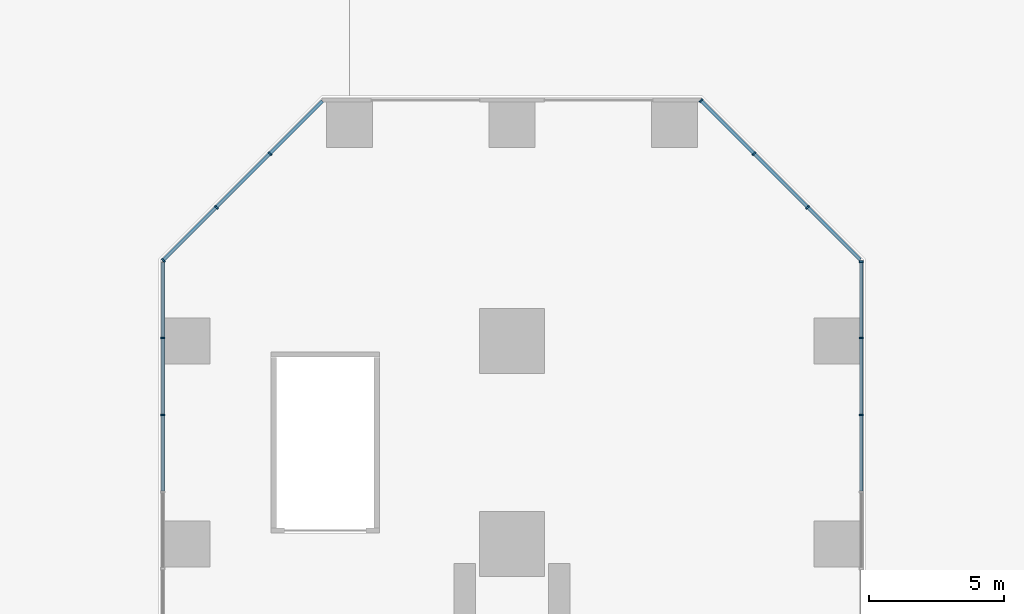
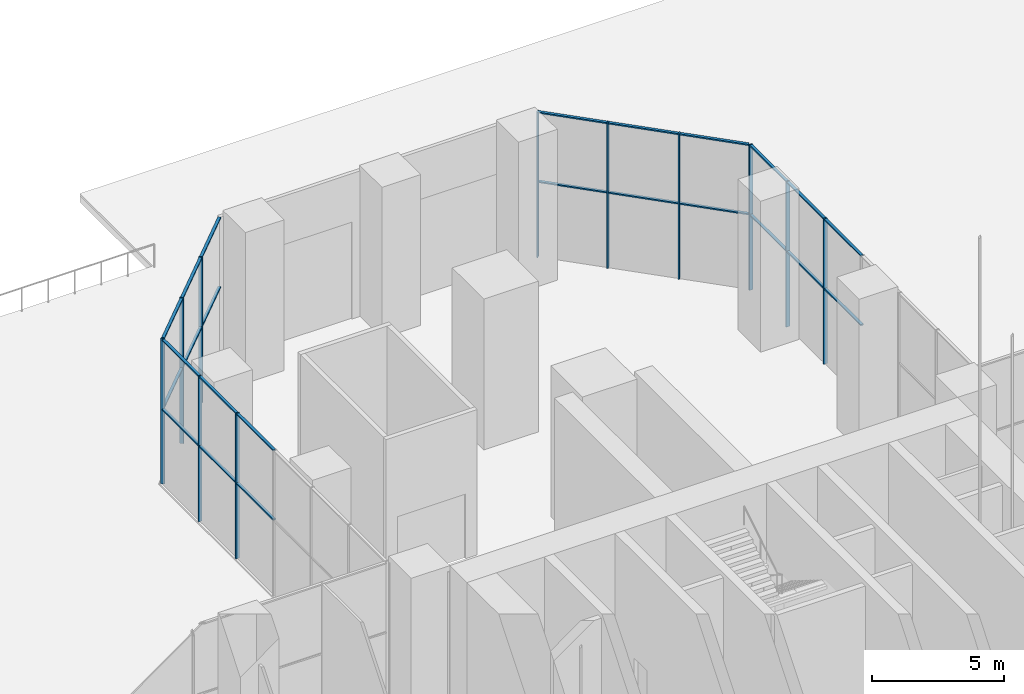
# One storey, part 12 of 43: 35 members, 4 elements without a shape of their own.
"""IFC4 building model written with IfcOpenShell, lengths in metres."""

from ifc_helpers import new_model, si_unit, direction, frame, origin, origin_2d, place, context, subcontext, project, spatial, rectangle, extrude, material, material_profile, profile_set, type_object, element, aggregate, save


model = new_model("IFC4")

# Units and contexts
model_context = context("Model", 3, precision=1e-05, world=origin(), true_north=direction((0.0, 1.0)))
body_context = subcontext(model_context, "Body", "Model", "MODEL_VIEW")
ifc_project = project(units=[si_unit("LENGTHUNIT", "METRE"), si_unit("AREAUNIT", "SQUARE_METRE"), si_unit("VOLUMEUNIT", "CUBIC_METRE"), si_unit("PLANEANGLEUNIT", "RADIAN"), si_unit("MASSUNIT", "GRAM", prefix="KILO")], contexts=[model_context])

# Site, building, storey
site_placement = place(None, origin())
site = spatial("IfcSite", under=ifc_project, at=site_placement, CompositionType="ELEMENT")
building_placement = place(site_placement, origin())
building = spatial("IfcBuilding", under=site, at=building_placement, Name="Mizan Broadcast Tower", CompositionType="ELEMENT")
storey_placement = place(building_placement, origin())
storey = spatial("IfcBuildingStorey", under=building, at=storey_placement, Name="L00", CompositionType="ELEMENT", Elevation=0.0)

# Curtain wall, members
ifc_material_1 = material(Name="Aluminium framed glazing", Category="aluminium")
curtain_wall_type = type_object("IfcCurtainWallType", Name="PODIUM CURTAIN WALL", PredefinedType="USERDEFINED", material=ifc_material_1)
curtain_wall_1_placement = place(storey_placement, origin())
curtain_wall_1 = element("IfcCurtainWall", 1, at=curtain_wall_1_placement, inside=storey, type_object=curtain_wall_type, Name="Podium curtain wall L00 N side", ObjectType="PODIUM CURTAIN WALL", PredefinedType="USERDEFINED")
ifc_material_2 = material(Name="Aluminium, pale anodised", Category="aluminium")
ifc_material_profile_1 = material_profile(ifc_material_2, rectangle(XDim=0.159912109375, YDim=0.06005859375, at=origin_2d()), Name="MULLION 160x60")
ifc_profile_set_1 = profile_set([ifc_material_profile_1], Name="Aluminium, pale anodised")
member_type_1 = type_object("IfcMemberType", Name="INNER SKIN MULLION 60x160", PredefinedType="MULLION", material=ifc_profile_set_1)
member_1_placement = place(storey_placement, frame((12.89990234375, 24.2724609375, 0.0), z_axis=(0.0, 0.0, 1.0), x_axis=(-1.0, 0.0, 0.0)))
member_1 = element("IfcMember", 2, at=member_1_placement, type_object=member_type_1, Name="Podium curtain wall L00 N side mullion 5", PredefinedType="MULLION", context=body_context, shape_type="SweptSolid", body=[
    extrude(rectangle(XDim=0.159912109375, YDim=0.06005859375, at=origin_2d()), origin(), (0.0, 0.0, 1.0), 6.75),
])
member_2_placement = place(storey_placement, frame((12.89990234375, 27.115478515625, 0.0), z_axis=(0.0, 0.0, 1.0), x_axis=(-1.0, 0.0, 0.0)))
member_2 = element("IfcMember", 3, at=member_2_placement, type_object=member_type_1, Name="Podium curtain wall L00 N side mullion 6", PredefinedType="MULLION", context=body_context, shape_type="SweptSolid", body=[
    extrude(rectangle(XDim=0.159912109375, YDim=0.06005859375, at=origin_2d()), origin(), (0.0, 0.0, 1.0), 6.75),
])
member_3_placement = place(storey_placement, frame((12.89990234375, 29.928466796875, 0.0), z_axis=(0.0, 0.0, 1.0), x_axis=(-1.0, 0.0, 0.0)))
member_3 = element("IfcMember", 4, at=member_3_placement, type_object=member_type_1, Name="Podium curtain wall L00 N side mullion 7", PredefinedType="MULLION", context=body_context, shape_type="SweptSolid", body=[
    extrude(rectangle(XDim=0.159912109375, YDim=0.06005859375, at=origin_2d()), origin(), (0.0, 0.0, 1.0), 6.75),
])

curtain_wall_2_placement = place(storey_placement, origin())
curtain_wall_2 = element("IfcCurtainWall", 5, at=curtain_wall_2_placement, inside=storey, type_object=curtain_wall_type, Name="Podium curtain wall L00 N chamfer", ObjectType="PODIUM CURTAIN WALL", PredefinedType="USERDEFINED")
member_4_placement = place(storey_placement, frame((10.91943359375, 31.93896484375, 0.0), z_axis=(0.0, 0.0, 1.0), x_axis=(-0.707106781187, -0.707106781187, 0.0)))
member_4 = element("IfcMember", 6, at=member_4_placement, type_object=member_type_1, Name="Podium curtain wall L00 N chamfer mullion 2", PredefinedType="MULLION", context=body_context, shape_type="SweptSolid", body=[
    extrude(rectangle(XDim=0.159912109375, YDim=0.06005859375, at=origin_2d()), origin(), (0.0, 0.0, 1.0), 6.75),
])
member_5_placement = place(storey_placement, frame((8.93896484375, 33.91943359375, 0.0), z_axis=(0.0, 0.0, 1.0), x_axis=(-0.707106781187, -0.707106781187, 0.0)))
member_5 = element("IfcMember", 7, at=member_5_placement, type_object=member_type_1, Name="Podium curtain wall L00 N chamfer mullion 3", PredefinedType="MULLION", context=body_context, shape_type="SweptSolid", body=[
    extrude(rectangle(XDim=0.159912109375, YDim=0.06005859375, at=origin_2d()), origin(), (0.0, 0.0, 1.0), 6.75),
])
member_6_placement = place(storey_placement, frame((6.979736328125, 35.87890625, 0.0), z_axis=(0.0, 0.0, 1.0), x_axis=(-0.707106781187, -0.707106781187, 0.0)))
member_6 = element("IfcMember", 8, at=member_6_placement, type_object=member_type_1, Name="Podium curtain wall L00 N chamfer mullion 4", PredefinedType="MULLION", context=body_context, shape_type="SweptSolid", body=[
    extrude(rectangle(XDim=0.159912109375, YDim=0.06005859375, at=origin_2d()), origin(), (0.0, 0.0, 1.0), 6.75),
])

curtain_wall_3_placement = place(storey_placement, origin())
curtain_wall_3 = element("IfcCurtainWall", 9, at=curtain_wall_3_placement, inside=storey, type_object=curtain_wall_type, Name="Podium curtain wall L00 N chamfer", ObjectType="PODIUM CURTAIN WALL", PredefinedType="USERDEFINED")
member_7_placement = place(storey_placement, frame((-8.93896484375, 33.91943359375, 0.0), z_axis=(0.0, 0.0, 1.0), x_axis=(0.707106781187, -0.707106781187, 0.0)))
member_7 = element("IfcMember", 10, at=member_7_placement, type_object=member_type_1, Name="Podium curtain wall L00 N chamfer mullion 2", PredefinedType="MULLION", context=body_context, shape_type="SweptSolid", body=[
    extrude(rectangle(XDim=0.159912109375, YDim=0.06005859375, at=origin_2d()), origin(), (0.0, 0.0, 1.0), 6.75),
])
member_8_placement = place(storey_placement, frame((-10.91943359375, 31.93896484375, 0.0), z_axis=(0.0, 0.0, 1.0), x_axis=(0.707106781187, -0.707106781187, 0.0)))
member_8 = element("IfcMember", 11, at=member_8_placement, type_object=member_type_1, Name="Podium curtain wall L00 N chamfer mullion 3", PredefinedType="MULLION", context=body_context, shape_type="SweptSolid", body=[
    extrude(rectangle(XDim=0.159912109375, YDim=0.06005859375, at=origin_2d()), origin(), (0.0, 0.0, 1.0), 6.75),
])
member_9_placement = place(storey_placement, frame((-12.87890625, 29.979736328125, 0.0), z_axis=(0.0, 0.0, 1.0), x_axis=(0.707106781187, -0.707106781187, 0.0)))
member_9 = element("IfcMember", 12, at=member_9_placement, type_object=member_type_1, Name="Podium curtain wall L00 N chamfer mullion 4", PredefinedType="MULLION", context=body_context, shape_type="SweptSolid", body=[
    extrude(rectangle(XDim=0.159912109375, YDim=0.06005859375, at=origin_2d()), origin(), (0.0, 0.0, 1.0), 6.75),
])

curtain_wall_4_placement = place(storey_placement, origin())
curtain_wall_4 = element("IfcCurtainWall", 13, at=curtain_wall_4_placement, inside=storey, type_object=curtain_wall_type, Name="Podium curtain wall L00 N side", ObjectType="PODIUM CURTAIN WALL", PredefinedType="USERDEFINED")
member_10_placement = place(storey_placement, frame((-12.89990234375, 27.115478515625, 0.0), z_axis=(0.0, 0.0, 1.0), x_axis=(1.0, 0.0, 0.0)))
member_10 = element("IfcMember", 14, at=member_10_placement, type_object=member_type_1, Name="Podium curtain wall L00 N side mullion 2", PredefinedType="MULLION", context=body_context, shape_type="SweptSolid", body=[
    extrude(rectangle(XDim=0.159912109375, YDim=0.06005859375, at=origin_2d()), origin(), (0.0, 0.0, 1.0), 6.75),
])
member_11_placement = place(storey_placement, frame((-12.89990234375, 24.2724609375, 0.0), z_axis=(0.0, 0.0, 1.0), x_axis=(1.0, 0.0, 0.0)))
member_11 = element("IfcMember", 15, at=member_11_placement, type_object=member_type_1, Name="Podium curtain wall L00 N side mullion 3", PredefinedType="MULLION", context=body_context, shape_type="SweptSolid", body=[
    extrude(rectangle(XDim=0.159912109375, YDim=0.06005859375, at=origin_2d()), origin(), (0.0, 0.0, 1.0), 6.75),
])

# Member
ifc_material_3 = material(Name="Aluminium, pale anodised", Category="aluminium")
ifc_material_profile_2 = material_profile(ifc_material_3, rectangle(XDim=0.1201171875, YDim=0.06005859375, at=origin_2d()), Name="TRANSOM 120x60")
ifc_profile_set_2 = profile_set([ifc_material_profile_2], Name="Aluminium, pale anodised")
member_type_2 = type_object("IfcMemberType", Name="INNER SKIN TRANSOM 60x120", PredefinedType="USERDEFINED", material=ifc_profile_set_2)
member_12_placement = place(storey_placement, frame((12.89990234375, 21.459228515625, 3.5), z_axis=(0.0, 1.0, 0.0), x_axis=(-1.0, 0.0, 0.0)))
member_12 = element("IfcMember", 16, at=member_12_placement, type_object=member_type_2, Name="Podium curtain wall L00 N side transom 4.1", ObjectType="TRANSOM", PredefinedType="USERDEFINED", context=body_context, shape_type="SweptSolid", body=[
    extrude(rectangle(XDim=0.1201171875, YDim=0.06005859375, at=origin_2d()), origin(), (0.0, 0.0, 1.0), 2.783203125),
])

member_13_placement = place(storey_placement, frame((12.89990234375, 21.459228515625, 6.719970703125), z_axis=(0.0, 1.0, 0.0), x_axis=(-1.0, 0.0, 0.0)))
member_13 = element("IfcMember", 17, at=member_13_placement, type_object=member_type_2, Name="Podium curtain wall L00 N side transom 4.2", ObjectType="TRANSOM", PredefinedType="USERDEFINED", context=body_context, shape_type="SweptSolid", body=[
    extrude(rectangle(XDim=0.1201171875, YDim=0.06005859375, at=origin_2d()), origin(), (0.0, 0.0, 1.0), 2.783203125),
])

member_14_placement = place(storey_placement, frame((12.89990234375, 24.302490234375, 3.5), z_axis=(0.0, 1.0, 0.0), x_axis=(-1.0, 0.0, 0.0)))
member_14 = element("IfcMember", 18, at=member_14_placement, type_object=member_type_2, Name="Podium curtain wall L00 N side transom 5.1", ObjectType="TRANSOM", PredefinedType="USERDEFINED", context=body_context, shape_type="SweptSolid", body=[
    extrude(rectangle(XDim=0.1201171875, YDim=0.06005859375, at=origin_2d()), origin(), (0.0, 0.0, 1.0), 2.782958984375),
])

member_15_placement = place(storey_placement, frame((12.89990234375, 24.302490234375, 6.719970703125), z_axis=(0.0, 1.0, 0.0), x_axis=(-1.0, 0.0, 0.0)))
member_15 = element("IfcMember", 19, at=member_15_placement, type_object=member_type_2, Name="Podium curtain wall L00 N side transom 5.2", ObjectType="TRANSOM", PredefinedType="USERDEFINED", context=body_context, shape_type="SweptSolid", body=[
    extrude(rectangle(XDim=0.1201171875, YDim=0.06005859375, at=origin_2d()), origin(), (0.0, 0.0, 1.0), 2.782958984375),
])

member_16_placement = place(storey_placement, frame((12.89990234375, 27.1455078125, 3.5), z_axis=(0.0, 1.0, 0.0), x_axis=(-1.0, 0.0, 0.0)))
member_16 = element("IfcMember", 20, at=member_16_placement, type_object=member_type_2, Name="Podium curtain wall L00 N side transom 6.1", ObjectType="TRANSOM", PredefinedType="USERDEFINED", context=body_context, shape_type="SweptSolid", body=[
    extrude(rectangle(XDim=0.1201171875, YDim=0.06005859375, at=origin_2d()), origin(), (0.0, 0.0, 1.0), 2.753173828125),
])

member_17_placement = place(storey_placement, frame((12.89990234375, 27.1455078125, 6.719970703125), z_axis=(0.0, 1.0, 0.0), x_axis=(-1.0, 0.0, 0.0)))
member_17 = element("IfcMember", 21, at=member_17_placement, type_object=member_type_2, Name="Podium curtain wall L00 N side transom 6.2", ObjectType="TRANSOM", PredefinedType="USERDEFINED", context=body_context, shape_type="SweptSolid", body=[
    extrude(rectangle(XDim=0.1201171875, YDim=0.06005859375, at=origin_2d()), origin(), (0.0, 0.0, 1.0), 2.753173828125),
])

aggregate(curtain_wall_1, [member_1, member_2, member_3, member_12, member_13, member_14, member_15, member_16, member_17])

member_18_placement = place(storey_placement, frame((12.857666015625, 30.0009765625, 3.5), z_axis=(-0.707151809797, 0.707061749709, 0.0), x_axis=(-0.707061749709, -0.707151809797, 0.0)))
member_18 = element("IfcMember", 22, at=member_18_placement, type_object=member_type_2, Name="Podium curtain wall L00 N chamfer transom 1.1", ObjectType="TRANSOM", PredefinedType="USERDEFINED", context=body_context, shape_type="SweptSolid", body=[
    extrude(rectangle(XDim=0.1201171875, YDim=0.06005859375, at=origin_2d()), origin(), (0.0, 0.0, 1.0), 2.7109375),
])

member_19_placement = place(storey_placement, frame((12.857666015625, 30.0009765625, 6.719970703125), z_axis=(-0.707151809797, 0.707061749709, 0.0), x_axis=(-0.707061749709, -0.707151809797, 0.0)))
member_19 = element("IfcMember", 23, at=member_19_placement, type_object=member_type_2, Name="Podium curtain wall L00 N chamfer transom 1.2", ObjectType="TRANSOM", PredefinedType="USERDEFINED", context=body_context, shape_type="SweptSolid", body=[
    extrude(rectangle(XDim=0.1201171875, YDim=0.06005859375, at=origin_2d()), origin(), (0.0, 0.0, 1.0), 2.7109375),
])

member_20_placement = place(storey_placement, frame((10.898193359375, 31.960205078125, 3.5), z_axis=(-0.707106781187, 0.707106781187, 0.0), x_axis=(-0.707106781187, -0.707106781187, 0.0)))
member_20 = element("IfcMember", 24, at=member_20_placement, type_object=member_type_2, Name="Podium curtain wall L00 N chamfer transom 2.1", ObjectType="TRANSOM", PredefinedType="USERDEFINED", context=body_context, shape_type="SweptSolid", body=[
    extrude(rectangle(XDim=0.1201171875, YDim=0.06005859375, at=origin_2d()), origin(), (0.0, 0.0, 1.0), 2.74072265625),
])

member_21_placement = place(storey_placement, frame((10.898193359375, 31.960205078125, 6.719970703125), z_axis=(-0.707106781187, 0.707106781187, 0.0), x_axis=(-0.707106781187, -0.707106781187, 0.0)))
member_21 = element("IfcMember", 25, at=member_21_placement, type_object=member_type_2, Name="Podium curtain wall L00 N chamfer transom 2.2", ObjectType="TRANSOM", PredefinedType="USERDEFINED", context=body_context, shape_type="SweptSolid", body=[
    extrude(rectangle(XDim=0.1201171875, YDim=0.06005859375, at=origin_2d()), origin(), (0.0, 0.0, 1.0), 2.74072265625),
])

member_22_placement = place(storey_placement, frame((8.917724609375, 33.940673828125, 3.5), z_axis=(-0.707061749709, 0.707151809797, 0.0), x_axis=(-0.707151809797, -0.707061749709, 0.0)))
member_22 = element("IfcMember", 26, at=member_22_placement, type_object=member_type_2, Name="Podium curtain wall L00 N chamfer transom 3.1", ObjectType="TRANSOM", PredefinedType="USERDEFINED", context=body_context, shape_type="SweptSolid", body=[
    extrude(rectangle(XDim=0.1201171875, YDim=0.06005859375, at=origin_2d()), origin(), (0.0, 0.0, 1.0), 2.7109375),
])

member_23_placement = place(storey_placement, frame((8.917724609375, 33.940673828125, 6.719970703125), z_axis=(-0.707061749709, 0.707151809797, 0.0), x_axis=(-0.707151809797, -0.707061749709, 0.0)))
member_23 = element("IfcMember", 27, at=member_23_placement, type_object=member_type_2, Name="Podium curtain wall L00 N chamfer transom 3.2", ObjectType="TRANSOM", PredefinedType="USERDEFINED", context=body_context, shape_type="SweptSolid", body=[
    extrude(rectangle(XDim=0.1201171875, YDim=0.06005859375, at=origin_2d()), origin(), (0.0, 0.0, 1.0), 2.7109375),
])

aggregate(curtain_wall_2, [member_4, member_5, member_6, member_18, member_19, member_20, member_21, member_22, member_23])

member_24_placement = place(storey_placement, frame((-7.0009765625, 35.857666015625, 3.5), z_axis=(-0.707061749709, -0.707151809797, 0.0), x_axis=(0.707151809797, -0.707061749709, 0.0)))
member_24 = element("IfcMember", 28, at=member_24_placement, type_object=member_type_2, Name="Podium curtain wall L00 N chamfer transom 1.1", ObjectType="TRANSOM", PredefinedType="USERDEFINED", context=body_context, shape_type="SweptSolid", body=[
    extrude(rectangle(XDim=0.1201171875, YDim=0.06005859375, at=origin_2d()), origin(), (0.0, 0.0, 1.0), 2.7109375),
])

member_25_placement = place(storey_placement, frame((-7.0009765625, 35.857666015625, 6.719970703125), z_axis=(-0.707061749709, -0.707151809797, 0.0), x_axis=(0.707151809797, -0.707061749709, 0.0)))
member_25 = element("IfcMember", 29, at=member_25_placement, type_object=member_type_2, Name="Podium curtain wall L00 N chamfer transom 1.2", ObjectType="TRANSOM", PredefinedType="USERDEFINED", context=body_context, shape_type="SweptSolid", body=[
    extrude(rectangle(XDim=0.1201171875, YDim=0.06005859375, at=origin_2d()), origin(), (0.0, 0.0, 1.0), 2.7109375),
])

member_26_placement = place(storey_placement, frame((-8.960205078125, 33.898193359375, 3.5), z_axis=(-0.707106781187, -0.707106781187, 0.0), x_axis=(0.707106781187, -0.707106781187, 0.0)))
member_26 = element("IfcMember", 30, at=member_26_placement, type_object=member_type_2, Name="Podium curtain wall L00 N chamfer transom 2.1", ObjectType="TRANSOM", PredefinedType="USERDEFINED", context=body_context, shape_type="SweptSolid", body=[
    extrude(rectangle(XDim=0.1201171875, YDim=0.06005859375, at=origin_2d()), origin(), (0.0, 0.0, 1.0), 2.74072265625),
])

member_27_placement = place(storey_placement, frame((-8.960205078125, 33.898193359375, 6.719970703125), z_axis=(-0.707106781187, -0.707106781187, 0.0), x_axis=(0.707106781187, -0.707106781187, 0.0)))
member_27 = element("IfcMember", 31, at=member_27_placement, type_object=member_type_2, Name="Podium curtain wall L00 N chamfer transom 2.2", ObjectType="TRANSOM", PredefinedType="USERDEFINED", context=body_context, shape_type="SweptSolid", body=[
    extrude(rectangle(XDim=0.1201171875, YDim=0.06005859375, at=origin_2d()), origin(), (0.0, 0.0, 1.0), 2.74072265625),
])

member_28_placement = place(storey_placement, frame((-10.940673828125, 31.917724609375, 3.5), z_axis=(-0.707151809797, -0.707061749709, 0.0), x_axis=(0.707061749709, -0.707151809797, 0.0)))
member_28 = element("IfcMember", 32, at=member_28_placement, type_object=member_type_2, Name="Podium curtain wall L00 N chamfer transom 3.1", ObjectType="TRANSOM", PredefinedType="USERDEFINED", context=body_context, shape_type="SweptSolid", body=[
    extrude(rectangle(XDim=0.1201171875, YDim=0.06005859375, at=origin_2d()), origin(), (0.0, 0.0, 1.0), 2.7109375),
])

member_29_placement = place(storey_placement, frame((-10.940673828125, 31.917724609375, 6.719970703125), z_axis=(-0.707151809797, -0.707061749709, 0.0), x_axis=(0.707061749709, -0.707151809797, 0.0)))
member_29 = element("IfcMember", 33, at=member_29_placement, type_object=member_type_2, Name="Podium curtain wall L00 N chamfer transom 3.2", ObjectType="TRANSOM", PredefinedType="USERDEFINED", context=body_context, shape_type="SweptSolid", body=[
    extrude(rectangle(XDim=0.1201171875, YDim=0.06005859375, at=origin_2d()), origin(), (0.0, 0.0, 1.0), 2.7109375),
])

aggregate(curtain_wall_3, [member_7, member_8, member_9, member_24, member_25, member_26, member_27, member_28, member_29])

member_30_placement = place(storey_placement, frame((-12.89990234375, 29.898681640625, 3.5), z_axis=(0.0, -1.0, 0.0), x_axis=(1.0, 0.0, 0.0)))
member_30 = element("IfcMember", 34, at=member_30_placement, type_object=member_type_2, Name="Podium curtain wall L00 N side transom 1.1", ObjectType="TRANSOM", PredefinedType="USERDEFINED", context=body_context, shape_type="SweptSolid", body=[
    extrude(rectangle(XDim=0.1201171875, YDim=0.06005859375, at=origin_2d()), origin(), (0.0, 0.0, 1.0), 2.753173828125),
])

member_31_placement = place(storey_placement, frame((-12.89990234375, 29.898681640625, 6.719970703125), z_axis=(0.0, -1.0, 0.0), x_axis=(1.0, 0.0, 0.0)))
member_31 = element("IfcMember", 35, at=member_31_placement, type_object=member_type_2, Name="Podium curtain wall L00 N side transom 1.2", ObjectType="TRANSOM", PredefinedType="USERDEFINED", context=body_context, shape_type="SweptSolid", body=[
    extrude(rectangle(XDim=0.1201171875, YDim=0.06005859375, at=origin_2d()), origin(), (0.0, 0.0, 1.0), 2.753173828125),
])

member_32_placement = place(storey_placement, frame((-12.89990234375, 27.08544921875, 3.5), z_axis=(0.0, -1.0, 0.0), x_axis=(1.0, 0.0, 0.0)))
member_32 = element("IfcMember", 36, at=member_32_placement, type_object=member_type_2, Name="Podium curtain wall L00 N side transom 2.1", ObjectType="TRANSOM", PredefinedType="USERDEFINED", context=body_context, shape_type="SweptSolid", body=[
    extrude(rectangle(XDim=0.1201171875, YDim=0.06005859375, at=origin_2d()), origin(), (0.0, 0.0, 1.0), 2.782958984375),
])

member_33_placement = place(storey_placement, frame((-12.89990234375, 27.08544921875, 6.719970703125), z_axis=(0.0, -1.0, 0.0), x_axis=(1.0, 0.0, 0.0)))
member_33 = element("IfcMember", 37, at=member_33_placement, type_object=member_type_2, Name="Podium curtain wall L00 N side transom 2.2", ObjectType="TRANSOM", PredefinedType="USERDEFINED", context=body_context, shape_type="SweptSolid", body=[
    extrude(rectangle(XDim=0.1201171875, YDim=0.06005859375, at=origin_2d()), origin(), (0.0, 0.0, 1.0), 2.782958984375),
])

member_34_placement = place(storey_placement, frame((-12.89990234375, 24.242431640625, 3.5), z_axis=(0.0, -1.0, 0.0), x_axis=(1.0, 0.0, 0.0)))
member_34 = element("IfcMember", 38, at=member_34_placement, type_object=member_type_2, Name="Podium curtain wall L00 N side transom 3.1", ObjectType="TRANSOM", PredefinedType="USERDEFINED", context=body_context, shape_type="SweptSolid", body=[
    extrude(rectangle(XDim=0.1201171875, YDim=0.06005859375, at=origin_2d()), origin(), (0.0, 0.0, 1.0), 2.783203125),
])

member_35_placement = place(storey_placement, frame((-12.89990234375, 24.242431640625, 6.719970703125), z_axis=(0.0, -1.0, 0.0), x_axis=(1.0, 0.0, 0.0)))
member_35 = element("IfcMember", 39, at=member_35_placement, type_object=member_type_2, Name="Podium curtain wall L00 N side transom 3.2", ObjectType="TRANSOM", PredefinedType="USERDEFINED", context=body_context, shape_type="SweptSolid", body=[
    extrude(rectangle(XDim=0.1201171875, YDim=0.06005859375, at=origin_2d()), origin(), (0.0, 0.0, 1.0), 2.783203125),
])

aggregate(curtain_wall_4, [member_10, member_11, member_30, member_31, member_32, member_33, member_34, member_35])

save(model, "model.ifc")
